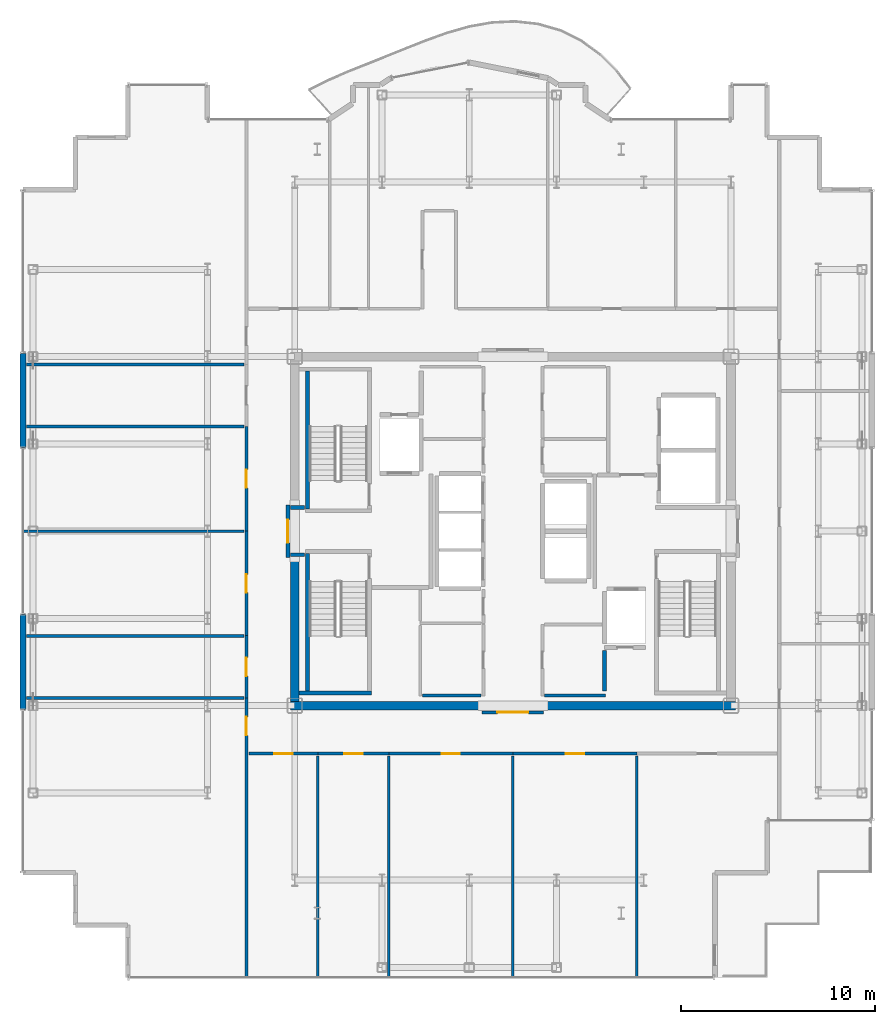
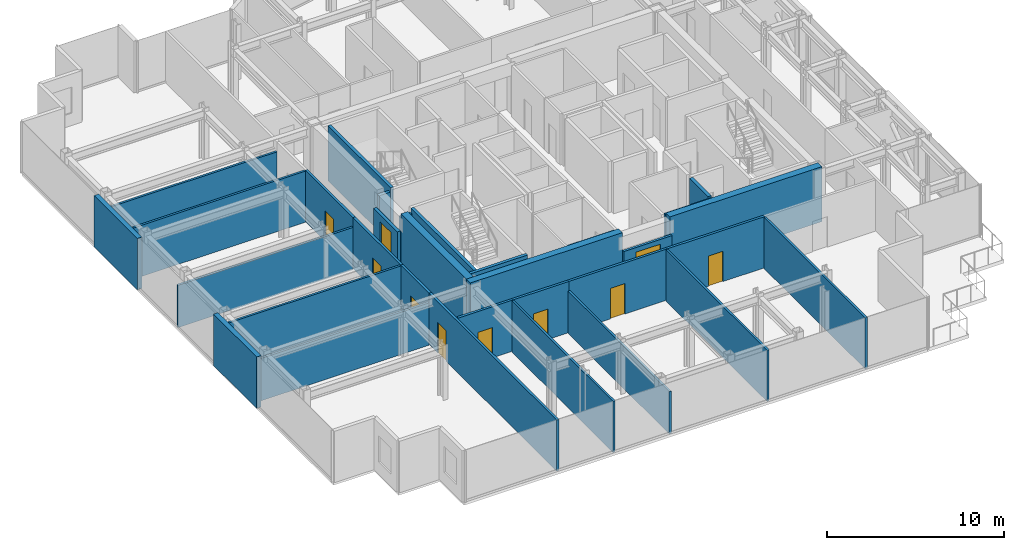
# One storey, part 11 of 18: 32 walls, 10 doors, 10 openings.
"""IFC4 building model written with IfcOpenShell, lengths in metres."""

from ifc_helpers import new_model, si_unit, direction, frame, frame_2d, origin, place, context, subcontext, project, spatial, rectangle, extrude, source, transform, mapped, material, layer, layer_set, type_object, element, fill, save


model = new_model("IFC4")

# Units and contexts
model_context = context("Model", 3, precision=1e-05, world=origin(), true_north=direction((0.0, 1.0)))
body_context = subcontext(model_context, "Body", "Model", "MODEL_VIEW")
ifc_project = project(units=[si_unit("LENGTHUNIT", "METRE"), si_unit("AREAUNIT", "SQUARE_METRE"), si_unit("VOLUMEUNIT", "CUBIC_METRE"), si_unit("PLANEANGLEUNIT", "RADIAN"), si_unit("MASSUNIT", "GRAM", prefix="KILO")], contexts=[model_context])

# Site, building, storey
site_placement = place(None, origin())
site = spatial("IfcSite", under=ifc_project, at=site_placement, CompositionType="ELEMENT")
building_placement = place(site_placement, origin())
building = spatial("IfcBuilding", under=site, at=building_placement, Name="Nefas-Gora Pilgrimage Tower", CompositionType="ELEMENT")
storey_placement = place(building_placement, frame((0.0, 0.0, 298.800048828125)))
storey = spatial("IfcBuildingStorey", under=building, at=storey_placement, Name="L75", CompositionType="ELEMENT", Elevation=298.800048828125)

# Walls
ifc_material_1 = material(Name="Concrete C50/60", Category="concrete")
ifc_layer_1 = layer(ifc_material_1, 0.449951171875)
ifc_layer_set_1 = layer_set([ifc_layer_1], Name="Concrete C50/60")
wall_type_1 = type_object("IfcWallType", Name="SW-CORE-450", PredefinedType="SHEAR", material=ifc_layer_set_1)
shared_shape_1 = source(origin(), body_context, "Body", "SweptSolid", [
    extrude(rectangle(XDim=9.925048828125, YDim=0.449951171875, at=frame_2d((4.96240234375, 0.0))), origin(), (0.0, 0.0, 1.0), 3.800048828125),
])
for number, where, z_axis, x_axis, name in (
    (1, (-11.47509765625, -9.0, 0.0), (0.0, 0.0, 1.0), (1.0, 0.0, 0.0), "L75 Core Shear Wall S-West"),
    (2, (1.550048828125, -9.0, 0.0), (0.0, 0.0, 1.0), (1.0, 0.0, 0.0), "L75 Core Shear Wall S-East"),
):
    element("IfcWall", number, at=place(storey_placement, frame(where, z_axis=z_axis, x_axis=x_axis)), inside=storey, type_object=wall_type_1, Name=name, PredefinedType="SHEAR", context=body_context, shape_type="MappedRepresentation", body=[
        mapped(shared_shape_1, transform((0.0, 0.0, 0.0), x_axis=(1.0, 0.0, 0.0), y_axis=(0.0, 1.0, 0.0), z_axis=(0.0, 0.0, 1.0), scale=1.0)),
    ])
shared_shape_2 = source(origin(), body_context, "Body", "SweptSolid", [
    extrude(rectangle(XDim=7.4248046875, YDim=0.449951171875, at=frame_2d((3.71240234375, 0.0))), origin(), (0.0, 0.0, 1.0), 3.800048828125),
])
wall_1_placement = place(storey_placement, frame((-11.25, -8.77490234375, 0.0), z_axis=(0.0, 0.0, 1.0), x_axis=(0.0, 1.0, 0.0)))
element("IfcWall", 3, at=wall_1_placement, inside=storey, type_object=wall_type_1, Name="L75 Core Shear Wall W-South", PredefinedType="SHEAR", context=body_context, shape_type="MappedRepresentation", body=[
    mapped(shared_shape_2, transform((0.0, 0.0, 0.0), x_axis=(1.0, 0.0, 0.0), y_axis=(0.0, 1.0, 0.0), z_axis=(0.0, 0.0, 1.0), scale=1.0)),
])
ifc_material_2 = material(Name="Precast concrete C45/55", Category="concrete")
ifc_layer_2 = layer(ifc_material_2, 0.239990234375)
ifc_layer_set_2 = layer_set([ifc_layer_2], Name="Precast concrete C45/55")
wall_type_2 = type_object("IfcWallType", Name="EW-SERR-240", PredefinedType="SHEAR", material=ifc_layer_set_2)
shared_shape_3 = source(origin(), body_context, "Body", "SweptSolid", [
    extrude(rectangle(XDim=4.8798828125, YDim=0.300048828125, at=frame_2d((2.43994140625, 0.0))), origin(), (0.0, 0.0, 1.0), 3.550048828125),
])
for number, where, z_axis, x_axis, name in (
    (4, (-25.27001953125, -9.18994140625, 0.0), (0.0, 0.0, 1.0), (0.0, 1.0, 0.0), "L75 Braced-Tube Precast Shear Cladding 1"),
    (5, (-25.27001953125, 4.31005859375, 0.0), (0.0, 0.0, 1.0), (0.0, 1.0, 0.0), "L75 Braced-Tube Precast Shear Cladding 2"),
):
    element("IfcWall", number, at=place(storey_placement, frame(where, z_axis=z_axis, x_axis=x_axis)), inside=storey, type_object=wall_type_2, Name=name, PredefinedType="SHEAR", context=body_context, shape_type="MappedRepresentation", body=[
        mapped(shared_shape_3, transform((0.0, 0.0, 0.0), x_axis=(1.0, 0.0, 0.0), y_axis=(0.0, 1.0, 0.0), z_axis=(0.0, 0.0, 1.0), scale=1.0)),
    ])
ifc_material_3 = material(Name="Concrete C45/55", Category="concrete")
ifc_layer_3 = layer(ifc_material_3, 0.199951171875)
ifc_layer_set_3 = layer_set([ifc_layer_3], Name="Concrete C45/55")
wall_type_3 = type_object("IfcWallType", Name="IW-STAIR-200", PredefinedType="SOLIDWALL", material=ifc_layer_set_3)
shared_shape_4 = source(origin(), body_context, "Body", "SweptSolid", [
    extrude(rectangle(XDim=7.10009765625, YDim=0.199951171875, at=frame_2d((3.550048828125, 0.0))), origin(), (0.0, 0.0, 1.0), 3.800048828125),
])
for number, where, z_axis, x_axis, name in (
    (6, (-10.60009765625, 1.14990234375, 0.0), (0.0, 0.0, 1.0), (0.0, 1.0, 0.0), "L75 Stairwell Shear Wall ST-01-right"),
    (7, (-10.60009765625, -1.14990234375, 0.0), (0.0, 0.0, 1.0), (0.0, -1.0, 0.0), "L75 Stairwell Shear Wall ST-03-left"),
):
    element("IfcWall", number, at=place(storey_placement, frame(where, z_axis=z_axis, x_axis=x_axis)), inside=storey, type_object=wall_type_3, Name=name, PredefinedType="SOLIDWALL", context=body_context, shape_type="MappedRepresentation", body=[
        mapped(shared_shape_4, transform((0.0, 0.0, 0.0), x_axis=(1.0, 0.0, 0.0), y_axis=(0.0, 1.0, 0.0), z_axis=(0.0, 0.0, 1.0), scale=1.0)),
    ])
shared_shape_5 = source(origin(), body_context, "Body", "SweptSolid", [
    extrude(rectangle(XDim=3.72998046875, YDim=0.199951171875, at=frame_2d((1.864990234375, 0.0))), origin(), (0.0, 0.0, 1.0), 3.800048828125),
])
wall_2_placement = place(storey_placement, frame((-11.030029296875, -8.35009765625, 0.0), z_axis=(0.0, 0.0, 1.0), x_axis=(1.0, 0.0, 0.0)))
element("IfcWall", 8, at=wall_2_placement, inside=storey, type_object=wall_type_3, Name="L75 Stairwell Shear Wall ST-03-far", PredefinedType="SOLIDWALL", context=body_context, shape_type="MappedRepresentation", body=[
    mapped(shared_shape_5, transform((0.0, 0.0, 0.0), x_axis=(1.0, 0.0, 0.0), y_axis=(0.0, 1.0, 0.0), z_axis=(0.0, 0.0, 1.0), scale=1.0)),
])
ifc_material_4 = material(Name="Gypsum fire-rated shaftwall")
ifc_layer_4 = layer(ifc_material_4, 0.199951171875)
ifc_layer_set_4 = layer_set([ifc_layer_4], Name="Gypsum fire-rated shaftwall")
wall_type_4 = type_object("IfcWallType", Name="IW-FFLOB-200", PredefinedType="PARTITIONING", material=ifc_layer_set_4)
shared_shape_6 = source(origin(), body_context, "Body", "SweptSolid", [
    extrude(rectangle(XDim=0.719970703125, YDim=0.199951171875, at=frame_2d((0.35986328125, 0.0))), origin(), (0.0, 0.0, 1.0), 3.534912109375),
])
for number, where, z_axis, x_axis, name in (
    (9, (-11.4599609375, 1.219970703125, 0.0), (0.0, 0.0, 1.0), (1.0, 0.0, 0.0), "L75 FF Lobby West Throat N Wall 8"),
    (10, (-11.4599609375, -1.219970703125, 0.0), (0.0, 0.0, 1.0), (1.0, 0.0, 0.0), "L75 FF Lobby West Throat S Wall 9"),
):
    element("IfcWall", number, at=place(storey_placement, frame(where, z_axis=z_axis, x_axis=x_axis)), inside=storey, type_object=wall_type_4, Name=name, PredefinedType="PARTITIONING", context=body_context, shape_type="MappedRepresentation", body=[
        mapped(shared_shape_6, transform((0.0, 0.0, 0.0), x_axis=(1.0, 0.0, 0.0), y_axis=(0.0, 1.0, 0.0), z_axis=(0.0, 0.0, 1.0), scale=1.0)),
    ])
ifc_material_5 = material(Name="Gypsum twin-stud partition")
ifc_layer_5 = layer(ifc_material_5, 0.139892578125)
ifc_layer_set_5 = layer_set([ifc_layer_5], Name="Gypsum twin-stud partition")
wall_type_5 = type_object("IfcWallType", Name="IW-UNIT-140", PredefinedType="PARTITIONING", material=ifc_layer_set_5)
shared_shape_7 = source(origin(), body_context, "Body", "SweptSolid", [
    extrude(rectangle(XDim=3.150146484375, YDim=0.139892578125, at=frame_2d((1.5751953125, 0.0))), origin(), (0.0, 0.0, 1.0), 3.534912109375),
])
wall_3_placement = place(storey_placement, frame((1.639892578125, -8.47998046875, 0.0), z_axis=(0.0, 0.0, 1.0), x_axis=(1.0, 0.0, 0.0)))
element("IfcWall", 11, at=wall_3_placement, inside=storey, type_object=wall_type_5, Name="L75 High-Rise Tableware Store Partition Wall 35", PredefinedType="PARTITIONING", context=body_context, shape_type="MappedRepresentation", body=[
    mapped(shared_shape_7, transform((0.0, 0.0, 0.0), x_axis=(1.0, 0.0, 0.0), y_axis=(0.0, 1.0, 0.0), z_axis=(0.0, 0.0, 1.0), scale=1.0)),
])

# Wall, opening, door
ifc_material_6 = material(Name="Gypsum acoustic stud partition")
ifc_layer_6 = layer(ifc_material_6, 0.159912109375)
ifc_layer_set_6 = layer_set([ifc_layer_6], Name="Gypsum acoustic stud partition")
wall_type_6 = type_object("IfcWallType", Name="IW-CORR-160", PredefinedType="PARTITIONING", material=ifc_layer_set_6)
shared_shape_8 = source(origin(), body_context, "Body", "SweptSolid", [
    extrude(rectangle(XDim=3.2099609375, YDim=0.159912109375, at=frame_2d((1.60498046875, 0.0))), origin(), (0.0, 0.0, 1.0), 3.534912109375),
])
wall_4_placement = place(storey_placement, frame((-13.739990234375, -8.60498046875, 0.0), z_axis=(0.0, 0.0, 1.0), x_axis=(0.0, 1.0, 0.0)))
wall_4 = element("IfcWall", 12, at=wall_4_placement, inside=storey, type_object=wall_type_6, Name="L75 Pastoral Chaplains Counselling Office Partition Wall 41", PredefinedType="PARTITIONING", context=body_context, shape_type="MappedRepresentation", body=[
    mapped(shared_shape_8, transform((0.0, 0.0, 0.0), x_axis=(1.0, 0.0, 0.0), y_axis=(0.0, 1.0, 0.0), z_axis=(0.0, 0.0, 1.0), scale=1.0)),
])
opening_1_placement = place(wall_4_placement, frame((1.1298828125, 0.0, 0.0)))
opening_1 = element("IfcOpeningElement", 13, at=opening_1_placement, cuts=wall_4, Name="Opening ID-GR1", PredefinedType="OPENING", context=body_context, shape_type="SweptSolid", body=[
    extrude(rectangle(XDim=0.949951171875, YDim=2.10009765625, at=frame_2d((0.47509765625, 1.050048828125))), frame((0.0, 0.08984375, 0.0), z_axis=(0.0, -1.0, 0.0), x_axis=(1.0, 0.0, 0.0)), (0.0, 0.0, 1.0), 0.179931640625),
])
ifc_material_7 = material(Name="Solid core oak fire-rated guest entrance door")
door_type_1 = type_object("IfcDoorType", Name="DR-INT-GUEST-950", OperationType="NOTDEFINED", PredefinedType="DOOR", material=ifc_material_7)
shared_shape_9 = source(origin(), body_context, "Body", "SweptSolid", [
    extrude(rectangle(XDim=0.949951171875, YDim=2.10009765625, at=frame_2d((0.47509765625, 1.050048828125))), frame((0.0, 0.02490234375, 0.0), z_axis=(0.0, -1.0, 0.0), x_axis=(1.0, 0.0, 0.0)), (0.0, 0.0, 1.0), 0.050048828125),
])
door_1_placement = place(opening_1_placement, origin())
door_1 = element("IfcDoor", 14, at=door_1_placement, inside=storey, type_object=door_type_1, Name="L75 Pastoral Chaplains Counselling Office Door 17", OperationType="SINGLE_SWING_LEFT", OverallHeight=2.10009765625, OverallWidth=0.949951171875, PredefinedType="DOOR", context=body_context, shape_type="MappedRepresentation", body=[
    mapped(shared_shape_9, transform((0.0, 0.0, 0.0), x_axis=(1.0, 0.0, 0.0), y_axis=(0.0, 1.0, 0.0), z_axis=(0.0, 0.0, 1.0), scale=1.0)),
])
fill(opening_1, door_1)

shared_shape_10 = source(origin(), body_context, "Body", "SweptSolid", [
    extrude(rectangle(XDim=6.405029296875, YDim=0.159912109375, at=frame_2d((3.20263671875, 0.0))), origin(), (0.0, 0.0, 1.0), 3.534912109375),
])
wall_5_placement = place(storey_placement, frame((-6.405029296875, -11.469970703125, 0.0), z_axis=(0.0, 0.0, 1.0), x_axis=(1.0, 0.0, 0.0)))
wall_5 = element("IfcWall", 15, at=wall_5_placement, inside=storey, type_object=wall_type_6, Name="L75 Pilgrim Contemplative Lounge Partition Wall 69", PredefinedType="PARTITIONING", context=body_context, shape_type="MappedRepresentation", body=[
    mapped(shared_shape_10, transform((0.0, 0.0, 0.0), x_axis=(1.0, 0.0, 0.0), y_axis=(0.0, 1.0, 0.0), z_axis=(0.0, 0.0, 1.0), scale=1.0)),
])
opening_2_placement = place(wall_5_placement, frame((2.7275390625, 0.0, 0.0)))
opening_2 = element("IfcOpeningElement", 16, at=opening_2_placement, cuts=wall_5, Name="Opening ID-GR1", PredefinedType="OPENING", context=body_context, shape_type="SweptSolid", body=[
    extrude(rectangle(XDim=0.949951171875, YDim=2.10009765625, at=frame_2d((0.47509765625, 1.050048828125))), frame((0.0, 0.08984375, 0.0), z_axis=(0.0, -1.0, 0.0), x_axis=(1.0, 0.0, 0.0)), (0.0, 0.0, 1.0), 0.179931640625),
])
door_2_placement = place(opening_2_placement, origin())
door_2 = element("IfcDoor", 17, at=door_2_placement, inside=storey, type_object=door_type_1, Name="L75 Pilgrim Contemplative Lounge Door 31", OperationType="SINGLE_SWING_LEFT", OverallHeight=2.10009765625, OverallWidth=0.949951171875, PredefinedType="DOOR", context=body_context, shape_type="MappedRepresentation", body=[
    mapped(shared_shape_9, transform((0.0, 0.0, 0.0), x_axis=(1.0, 0.0, 0.0), y_axis=(0.0, 1.0, 0.0), z_axis=(0.0, 0.0, 1.0), scale=1.0)),
])
fill(opening_2, door_2)

wall_6_placement = place(storey_placement, frame((0.0, -11.469970703125, 0.0), z_axis=(0.0, 0.0, 1.0), x_axis=(1.0, 0.0, 0.0)))
wall_6 = element("IfcWall", 18, at=wall_6_placement, inside=storey, type_object=wall_type_6, Name="L75 Pilgrim Contemplative Lounge Partition Wall 71", PredefinedType="PARTITIONING", context=body_context, shape_type="MappedRepresentation", body=[
    mapped(shared_shape_10, transform((0.0, 0.0, 0.0), x_axis=(1.0, 0.0, 0.0), y_axis=(0.0, 1.0, 0.0), z_axis=(0.0, 0.0, 1.0), scale=1.0)),
])
opening_3_placement = place(wall_6_placement, frame((2.7275390625, 0.0, 0.0)))
opening_3 = element("IfcOpeningElement", 19, at=opening_3_placement, cuts=wall_6, Name="Opening ID-GR1", PredefinedType="OPENING", context=body_context, shape_type="SweptSolid", body=[
    extrude(rectangle(XDim=0.949951171875, YDim=2.10009765625, at=frame_2d((0.47509765625, 1.050048828125))), frame((0.0, 0.08984375, 0.0), z_axis=(0.0, -1.0, 0.0), x_axis=(1.0, 0.0, 0.0)), (0.0, 0.0, 1.0), 0.179931640625),
])
door_3_placement = place(opening_3_placement, origin())
door_3 = element("IfcDoor", 20, at=door_3_placement, inside=storey, type_object=door_type_1, Name="L75 Pilgrim Contemplative Lounge Door 32", OperationType="SINGLE_SWING_RIGHT", OverallHeight=2.10009765625, OverallWidth=0.949951171875, PredefinedType="DOOR", context=body_context, shape_type="MappedRepresentation", body=[
    mapped(shared_shape_9, transform((0.0, 0.0, 0.0), x_axis=(1.0, 0.0, 0.0), y_axis=(0.0, 1.0, 0.0), z_axis=(0.0, 0.0, 1.0), scale=1.0)),
])
fill(opening_3, door_3)

shared_shape_11 = source(origin(), body_context, "Body", "SweptSolid", [
    extrude(rectangle(XDim=3.6650390625, YDim=0.159912109375, at=frame_2d((1.83251953125, 0.0))), origin(), (0.0, 0.0, 1.0), 3.534912109375),
])
wall_7_placement = place(storey_placement, frame((-10.06005859375, -11.469970703125, 0.0), z_axis=(0.0, 0.0, 1.0), x_axis=(1.0, 0.0, 0.0)))
wall_7 = element("IfcWall", 21, at=wall_7_placement, inside=storey, type_object=wall_type_6, Name="L75 Pilgrim Contemplative Lounge Partition Wall 67", PredefinedType="PARTITIONING", context=body_context, shape_type="MappedRepresentation", body=[
    mapped(shared_shape_11, transform((0.0, 0.0, 0.0), x_axis=(1.0, 0.0, 0.0), y_axis=(0.0, 1.0, 0.0), z_axis=(0.0, 0.0, 1.0), scale=1.0)),
])
opening_4_placement = place(wall_7_placement, frame((1.357421875, 0.0, 0.0)))
opening_4 = element("IfcOpeningElement", 22, at=opening_4_placement, cuts=wall_7, Name="Opening ID-GR1", PredefinedType="OPENING", context=body_context, shape_type="SweptSolid", body=[
    extrude(rectangle(XDim=0.949951171875, YDim=2.10009765625, at=frame_2d((0.47509765625, 1.050048828125))), frame((0.0, 0.08984375, 0.0), z_axis=(0.0, -1.0, 0.0), x_axis=(1.0, 0.0, 0.0)), (0.0, 0.0, 1.0), 0.179931640625),
])
door_4_placement = place(opening_4_placement, origin())
door_4 = element("IfcDoor", 23, at=door_4_placement, inside=storey, type_object=door_type_1, Name="L75 Pilgrim Contemplative Lounge Door 30", OperationType="SINGLE_SWING_RIGHT", OverallHeight=2.10009765625, OverallWidth=0.949951171875, PredefinedType="DOOR", context=body_context, shape_type="MappedRepresentation", body=[
    mapped(shared_shape_9, transform((0.0, 0.0, 0.0), x_axis=(1.0, 0.0, 0.0), y_axis=(0.0, 1.0, 0.0), z_axis=(0.0, 0.0, 1.0), scale=1.0)),
])
fill(opening_4, door_4)

shared_shape_12 = source(origin(), body_context, "Body", "SweptSolid", [
    extrude(rectangle(XDim=3.56005859375, YDim=0.159912109375, at=frame_2d((1.780029296875, 0.0))), origin(), (0.0, 0.0, 1.0), 3.534912109375),
])
wall_8_placement = place(storey_placement, frame((-13.6201171875, -11.469970703125, 0.0), z_axis=(0.0, 0.0, 1.0), x_axis=(1.0, 0.0, 0.0)))
wall_8 = element("IfcWall", 24, at=wall_8_placement, inside=storey, type_object=wall_type_6, Name="L75 Pilgrim Contemplative Lounge Partition Wall 65", PredefinedType="PARTITIONING", context=body_context, shape_type="MappedRepresentation", body=[
    mapped(shared_shape_12, transform((0.0, 0.0, 0.0), x_axis=(1.0, 0.0, 0.0), y_axis=(0.0, 1.0, 0.0), z_axis=(0.0, 0.0, 1.0), scale=1.0)),
])
opening_5_placement = place(wall_8_placement, frame((1.304931640625, 0.0, 0.0)))
opening_5 = element("IfcOpeningElement", 25, at=opening_5_placement, cuts=wall_8, Name="Opening ID-GR1", PredefinedType="OPENING", context=body_context, shape_type="SweptSolid", body=[
    extrude(rectangle(XDim=0.949951171875, YDim=2.10009765625, at=frame_2d((0.47509765625, 1.050048828125))), frame((0.0, 0.08984375, 0.0), z_axis=(0.0, -1.0, 0.0), x_axis=(1.0, 0.0, 0.0)), (0.0, 0.0, 1.0), 0.179931640625),
])
door_5_placement = place(opening_5_placement, origin())
door_5 = element("IfcDoor", 26, at=door_5_placement, inside=storey, type_object=door_type_1, Name="L75 Pilgrim Contemplative Lounge Door 29", OperationType="SINGLE_SWING_LEFT", OverallHeight=2.10009765625, OverallWidth=0.949951171875, PredefinedType="DOOR", context=body_context, shape_type="MappedRepresentation", body=[
    mapped(shared_shape_9, transform((0.0, 0.0, 0.0), x_axis=(1.0, 0.0, 0.0), y_axis=(0.0, 1.0, 0.0), z_axis=(0.0, 0.0, 1.0), scale=1.0)),
])
fill(opening_5, door_5)

shared_shape_13 = source(origin(), body_context, "Body", "SweptSolid", [
    extrude(rectangle(XDim=14.445068359375, YDim=0.159912109375, at=frame_2d((7.22265625, 0.0))), origin(), (0.0, 0.0, 1.0), 3.534912109375),
])
wall_9_placement = place(storey_placement, frame((-13.739990234375, -23.0400390625, 0.0), z_axis=(0.0, 0.0, 1.0), x_axis=(0.0, 1.0, 0.0)))
wall_9 = element("IfcWall", 27, at=wall_9_placement, inside=storey, type_object=wall_type_6, Name="L75 Pilgrim Floor Concierge Foyer Partition Wall 39", PredefinedType="PARTITIONING", context=body_context, shape_type="MappedRepresentation", body=[
    mapped(shared_shape_13, transform((0.0, 0.0, 0.0), x_axis=(1.0, 0.0, 0.0), y_axis=(0.0, 1.0, 0.0), z_axis=(0.0, 0.0, 1.0), scale=1.0)),
])
opening_6_placement = place(wall_9_placement, frame((12.512451171875, 0.0, 0.0)))
opening_6 = element("IfcOpeningElement", 28, at=opening_6_placement, cuts=wall_9, Name="Opening ID-GR1", PredefinedType="OPENING", context=body_context, shape_type="SweptSolid", body=[
    extrude(rectangle(XDim=0.949951171875, YDim=2.10009765625, at=frame_2d((0.47509765625, 1.050048828125))), frame((0.0, 0.08984375, 0.0), z_axis=(0.0, -1.0, 0.0), x_axis=(1.0, 0.0, 0.0)), (0.0, 0.0, 1.0), 0.179931640625),
])
door_6_placement = place(opening_6_placement, origin())
door_6 = element("IfcDoor", 29, at=door_6_placement, inside=storey, type_object=door_type_1, Name="L75 Pilgrim Floor Concierge Foyer Door 16", OperationType="SINGLE_SWING_RIGHT", OverallHeight=2.10009765625, OverallWidth=0.949951171875, PredefinedType="DOOR", context=body_context, shape_type="MappedRepresentation", body=[
    mapped(shared_shape_9, transform((0.0, 0.0, 0.0), x_axis=(1.0, 0.0, 0.0), y_axis=(0.0, 1.0, 0.0), z_axis=(0.0, 0.0, 1.0), scale=1.0)),
])
fill(opening_6, door_6)

# Walls
shared_shape_14 = source(origin(), body_context, "Body", "SweptSolid", [
    extrude(rectangle(XDim=11.219970703125, YDim=0.139892578125, at=frame_2d((5.60986328125, 0.0))), origin(), (0.0, 0.0, 1.0), 3.534912109375),
])
for number, where, z_axis, x_axis, name in (
    (30, (-25.080078125, -5.405029296875, 0.0), (0.0, 0.0, 1.0), (1.0, 0.0, 0.0), "L75 Pastoral Chaplains Counselling Office Partition Wall 42"),
    (31, (-25.080078125, 5.39501953125, 0.0), (0.0, 0.0, 1.0), (1.0, 0.0, 0.0), "L75 Pilgrim Floor Concierge Foyer Partition Wall 46"),
):
    element("IfcWall", number, at=place(storey_placement, frame(where, z_axis=z_axis, x_axis=x_axis)), inside=storey, type_object=wall_type_5, Name=name, PredefinedType="PARTITIONING", context=body_context, shape_type="MappedRepresentation", body=[
        mapped(shared_shape_14, transform((0.0, 0.0, 0.0), x_axis=(1.0, 0.0, 0.0), y_axis=(0.0, 1.0, 0.0), z_axis=(0.0, 0.0, 1.0), scale=1.0)),
    ])

# Wall, opening, door
shared_shape_15 = source(origin(), body_context, "Body", "SweptSolid", [
    extrude(rectangle(XDim=5.409912109375, YDim=0.159912109375, at=frame_2d((2.705078125, 0.0))), origin(), (0.0, 0.0, 1.0), 3.534912109375),
])
wall_10_placement = place(storey_placement, frame((-13.739990234375, -5.405029296875, 0.0), z_axis=(0.0, 0.0, 1.0), x_axis=(0.0, 1.0, 0.0)))
wall_10 = element("IfcWall", 32, at=wall_10_placement, inside=storey, type_object=wall_type_6, Name="L75 Pilgrim Floor Concierge Foyer Partition Wall 43", PredefinedType="PARTITIONING", context=body_context, shape_type="MappedRepresentation", body=[
    mapped(shared_shape_15, transform((0.0, 0.0, 0.0), x_axis=(1.0, 0.0, 0.0), y_axis=(0.0, 1.0, 0.0), z_axis=(0.0, 0.0, 1.0), scale=1.0)),
])
opening_7_placement = place(wall_10_placement, frame((2.22998046875, 0.0, 0.0)))
opening_7 = element("IfcOpeningElement", 33, at=opening_7_placement, cuts=wall_10, Name="Opening ID-GR1", PredefinedType="OPENING", context=body_context, shape_type="SweptSolid", body=[
    extrude(rectangle(XDim=0.949951171875, YDim=2.10009765625, at=frame_2d((0.47509765625, 1.050048828125))), frame((0.0, 0.08984375, 0.0), z_axis=(0.0, -1.0, 0.0), x_axis=(1.0, 0.0, 0.0)), (0.0, 0.0, 1.0), 0.179931640625),
])
door_7_placement = place(opening_7_placement, origin())
door_7 = element("IfcDoor", 34, at=door_7_placement, inside=storey, type_object=door_type_1, Name="L75 Pilgrim Floor Concierge Foyer Door 18", OperationType="SINGLE_SWING_RIGHT", OverallHeight=2.10009765625, OverallWidth=0.949951171875, PredefinedType="DOOR", context=body_context, shape_type="MappedRepresentation", body=[
    mapped(shared_shape_9, transform((0.0, 0.0, 0.0), x_axis=(1.0, 0.0, 0.0), y_axis=(0.0, 1.0, 0.0), z_axis=(0.0, 0.0, 1.0), scale=1.0)),
])
fill(opening_7, door_7)

wall_11_placement = place(storey_placement, frame((-13.739990234375, -0.0048828125, 0.0), z_axis=(0.0, 0.0, 1.0), x_axis=(0.0, 1.0, 0.0)))
wall_11 = element("IfcWall", 35, at=wall_11_placement, inside=storey, type_object=wall_type_6, Name="L75 Pilgrim Floor Concierge Foyer Partition Wall 45", PredefinedType="PARTITIONING", context=body_context, shape_type="MappedRepresentation", body=[
    mapped(shared_shape_15, transform((0.0, 0.0, 0.0), x_axis=(1.0, 0.0, 0.0), y_axis=(0.0, 1.0, 0.0), z_axis=(0.0, 0.0, 1.0), scale=1.0)),
])
opening_8_placement = place(wall_11_placement, frame((2.22998046875, 0.0, 0.0)))
opening_8 = element("IfcOpeningElement", 36, at=opening_8_placement, cuts=wall_11, Name="Opening ID-GR1", PredefinedType="OPENING", context=body_context, shape_type="SweptSolid", body=[
    extrude(rectangle(XDim=0.949951171875, YDim=2.10009765625, at=frame_2d((0.47509765625, 1.050048828125))), frame((0.0, 0.08984375, 0.0), z_axis=(0.0, -1.0, 0.0), x_axis=(1.0, 0.0, 0.0)), (0.0, 0.0, 1.0), 0.179931640625),
])
door_8_placement = place(opening_8_placement, origin())
door_8 = element("IfcDoor", 37, at=door_8_placement, inside=storey, type_object=door_type_1, Name="L75 Pilgrim Floor Concierge Foyer Door 19", OperationType="SINGLE_SWING_LEFT", OverallHeight=2.10009765625, OverallWidth=0.949951171875, PredefinedType="DOOR", context=body_context, shape_type="MappedRepresentation", body=[
    mapped(shared_shape_9, transform((0.0, 0.0, 0.0), x_axis=(1.0, 0.0, 0.0), y_axis=(0.0, 1.0, 0.0), z_axis=(0.0, 0.0, 1.0), scale=1.0)),
])
fill(opening_8, door_8)

shared_shape_16 = source(origin(), body_context, "Body", "SweptSolid", [
    extrude(rectangle(XDim=2.7001953125, YDim=0.199951171875, at=frame_2d((1.35009765625, 0.0))), origin(), (0.0, 0.0, 1.0), 2.625),
])
wall_12_placement = place(storey_placement, frame((-11.60009765625, -1.35009765625, 0.0), z_axis=(0.0, 0.0, 1.0), x_axis=(0.0, 1.0, 0.0)))
wall_12 = element("IfcWall", 38, at=wall_12_placement, inside=storey, type_object=wall_type_4, Name="L75 FF Lobby West Portal Wall 5", PredefinedType="PARTITIONING", context=body_context, shape_type="MappedRepresentation", body=[
    mapped(shared_shape_16, transform((0.0, 0.0, 0.0), x_axis=(1.0, 0.0, 0.0), y_axis=(0.0, 1.0, 0.0), z_axis=(0.0, 0.0, 1.0), scale=1.0)),
])
opening_9_placement = place(wall_12_placement, frame((0.75, 0.0, 0.0)))
opening_9 = element("IfcOpeningElement", 39, at=opening_9_placement, cuts=wall_12, Name="Opening ID-FF1", PredefinedType="OPENING", context=body_context, shape_type="SweptSolid", body=[
    extrude(rectangle(XDim=1.199951171875, YDim=2.14990234375, at=frame_2d((0.60009765625, 1.074951171875))), frame((0.0, 0.10986328125, 0.0), z_axis=(0.0, -1.0, 0.0), x_axis=(1.0, 0.0, 0.0)), (0.0, 0.0, 1.0), 0.219970703125),
])
ifc_material_8 = material(Name="Smoke-sealed steel firefighting lobby door", Category="steel")
door_type_2 = type_object("IfcDoorType", Name="DR-INT-FFLOB-1200", OperationType="NOTDEFINED", PredefinedType="DOOR", material=ifc_material_8)
shared_shape_17 = source(origin(), body_context, "Body", "SweptSolid", [
    extrude(rectangle(XDim=1.199951171875, YDim=2.14990234375, at=frame_2d((0.60009765625, 1.074951171875))), frame((0.0, 0.02490234375, 0.0), z_axis=(0.0, -1.0, 0.0), x_axis=(1.0, 0.0, 0.0)), (0.0, 0.0, 1.0), 0.050048828125),
])
door_9_placement = place(opening_9_placement, origin())
door_9 = element("IfcDoor", 40, at=door_9_placement, inside=storey, type_object=door_type_2, Name="L75 FF Lobby West Portal Door 3", OperationType="SINGLE_SWING_LEFT", OverallHeight=2.14990234375, OverallWidth=1.199951171875, PredefinedType="DOOR", context=body_context, shape_type="MappedRepresentation", body=[
    mapped(shared_shape_17, transform((0.0, 0.0, 0.0), x_axis=(1.0, 0.0, 0.0), y_axis=(0.0, 1.0, 0.0), z_axis=(0.0, 0.0, 1.0), scale=1.0)),
])
fill(opening_9, door_9)

shared_shape_18 = source(origin(), body_context, "Body", "SweptSolid", [
    extrude(rectangle(XDim=3.16015625, YDim=0.159912109375, at=frame_2d((1.580078125, 0.0))), origin(), (0.0, 0.0, 1.0), 2.625),
])
wall_13_placement = place(storey_placement, frame((-1.580078125, -9.35009765625, 0.0), z_axis=(0.0, 0.0, 1.0), x_axis=(1.0, 0.0, 0.0)))
wall_13 = element("IfcWall", 41, at=wall_13_placement, inside=storey, type_object=wall_type_6, Name="L75 Central Lift Lobby South Portal Wall 17", PredefinedType="PARTITIONING", context=body_context, shape_type="MappedRepresentation", body=[
    mapped(shared_shape_18, transform((0.0, 0.0, 0.0), x_axis=(1.0, 0.0, 0.0), y_axis=(0.0, 1.0, 0.0), z_axis=(0.0, 0.0, 1.0), scale=1.0)),
])
opening_10_placement = place(wall_13_placement, frame((0.780029296875, 0.0, 0.0)))
opening_10 = element("IfcOpeningElement", 42, at=opening_10_placement, cuts=wall_13, Name="Opening ID-HL1", PredefinedType="OPENING", context=body_context, shape_type="SweptSolid", body=[
    extrude(rectangle(XDim=1.60009765625, YDim=2.300048828125, at=frame_2d((0.800048828125, 1.14990234375))), frame((0.0, 0.08984375, 0.0), z_axis=(0.0, -1.0, 0.0), x_axis=(1.0, 0.0, 0.0)), (0.0, 0.0, 1.0), 0.179931640625),
])
ifc_material_9 = material(Name="Double acoustic timber assembly hall door", Category="wood")
door_type_3 = type_object("IfcDoorType", Name="DR-INT-HALL-1600", OperationType="DOUBLE_DOOR_SINGLE_SWING", PredefinedType="DOOR", material=ifc_material_9)
shared_shape_19 = source(origin(), body_context, "Body", "SweptSolid", [
    extrude(rectangle(XDim=1.60009765625, YDim=2.300048828125, at=frame_2d((0.800048828125, 1.14990234375))), frame((0.0, 0.02490234375, 0.0), z_axis=(0.0, -1.0, 0.0), x_axis=(1.0, 0.0, 0.0)), (0.0, 0.0, 1.0), 0.050048828125),
])
door_10_placement = place(opening_10_placement, origin())
door_10 = element("IfcDoor", 43, at=door_10_placement, inside=storey, type_object=door_type_3, Name="L75 Central Lift Lobby South Portal Door 7", OperationType="DOUBLE_DOOR_SINGLE_SWING", OverallHeight=2.300048828125, OverallWidth=1.60009765625, PredefinedType="DOOR", context=body_context, shape_type="MappedRepresentation", body=[
    mapped(shared_shape_19, transform((0.0, 0.0, 0.0), x_axis=(1.0, 0.0, 0.0), y_axis=(0.0, 1.0, 0.0), z_axis=(0.0, 0.0, 1.0), scale=1.0)),
])
fill(opening_10, door_10)

# Walls
shared_shape_20 = source(origin(), body_context, "Body", "SweptSolid", [
    extrude(rectangle(XDim=11.429931640625, YDim=0.139892578125, at=frame_2d((5.71484375, 0.0))), origin(), (0.0, 0.0, 1.0), 2.925048828125),
])
wall_14_placement = place(storey_placement, frame((-25.2900390625, -0.0048828125, 0.0), z_axis=(0.0, 0.0, 1.0), x_axis=(1.0, 0.0, 0.0)))
element("IfcWall", 44, at=wall_14_placement, inside=storey, type_object=wall_type_5, Name="L75 Pilgrim Floor Concierge Foyer Partition Wall 44", PredefinedType="PARTITIONING", context=body_context, shape_type="MappedRepresentation", body=[
    mapped(shared_shape_20, transform((0.0, 0.0, 0.0), x_axis=(1.0, 0.0, 0.0), y_axis=(0.0, 1.0, 0.0), z_axis=(0.0, 0.0, 1.0), scale=1.0)),
])
shared_shape_21 = source(origin(), body_context, "Body", "SweptSolid", [
    extrude(rectangle(XDim=11.219970703125, YDim=0.139892578125, at=frame_2d((5.60986328125, 0.0))), origin(), (0.0, 0.0, 1.0), 2.925048828125),
])
for number, where, z_axis, x_axis, name in (
    (45, (-25.080078125, -8.60498046875, 0.0), (0.0, 0.0, 1.0), (1.0, 0.0, 0.0), "L75 Pilgrim Floor Concierge Foyer Partition Wall 40"),
    (46, (-25.080078125, 8.594970703125, 0.0), (0.0, 0.0, 1.0), (1.0, 0.0, 0.0), "L75 Scripture Reading Study Partition Wall 48"),
):
    element("IfcWall", number, at=place(storey_placement, frame(where, z_axis=z_axis, x_axis=x_axis)), inside=storey, type_object=wall_type_5, Name=name, PredefinedType="PARTITIONING", context=body_context, shape_type="MappedRepresentation", body=[
        mapped(shared_shape_21, transform((0.0, 0.0, 0.0), x_axis=(1.0, 0.0, 0.0), y_axis=(0.0, 1.0, 0.0), z_axis=(0.0, 0.0, 1.0), scale=1.0)),
    ])
shared_shape_22 = source(origin(), body_context, "Body", "SweptSolid", [
    extrude(rectangle(XDim=11.449951171875, YDim=0.139892578125, at=frame_2d((5.72509765625, 0.0))), origin(), (0.0, 0.0, 1.0), 3.534912109375),
])
for number, where, z_axis, x_axis, name in (
    (47, (-10.070068359375, -23.0400390625, 0.0), (0.0, 0.0, 1.0), (0.0, 1.0, 0.0), "L75 Pilgrim Contemplative Lounge Partition Wall 66"),
    (48, (-0.010009765625, -23.0400390625, 0.0), (0.0, 0.0, 1.0), (0.0, 1.0, 0.0), "L75 Pilgrim Contemplative Lounge Partition Wall 70"),
    (49, (6.39501953125, -23.0400390625, 0.0), (0.0, 0.0, 1.0), (0.0, 1.0, 0.0), "L75 Pilgrim Contemplative Lounge Partition Wall 72"),
):
    element("IfcWall", number, at=place(storey_placement, frame(where, z_axis=z_axis, x_axis=x_axis)), inside=storey, type_object=wall_type_5, Name=name, PredefinedType="PARTITIONING", context=body_context, shape_type="MappedRepresentation", body=[
        mapped(shared_shape_22, transform((0.0, 0.0, 0.0), x_axis=(1.0, 0.0, 0.0), y_axis=(0.0, 1.0, 0.0), z_axis=(0.0, 0.0, 1.0), scale=1.0)),
    ])
shared_shape_23 = source(origin(), body_context, "Body", "SweptSolid", [
    extrude(rectangle(XDim=11.449951171875, YDim=0.139892578125, at=frame_2d((5.72509765625, 0.0))), origin(), (0.0, 0.0, 1.0), 2.925048828125),
])
wall_15_placement = place(storey_placement, frame((-6.405029296875, -23.0400390625, 0.0), z_axis=(0.0, 0.0, 1.0), x_axis=(0.0, 1.0, 0.0)))
element("IfcWall", 50, at=wall_15_placement, inside=storey, type_object=wall_type_5, Name="L75 Pilgrim Contemplative Lounge Partition Wall 68", PredefinedType="PARTITIONING", context=body_context, shape_type="MappedRepresentation", body=[
    mapped(shared_shape_23, transform((0.0, 0.0, 0.0), x_axis=(1.0, 0.0, 0.0), y_axis=(0.0, 1.0, 0.0), z_axis=(0.0, 0.0, 1.0), scale=1.0)),
])
ifc_material_10 = material(Name="Concrete C40/50", Category="concrete")
ifc_layer_7 = layer(ifc_material_10, 0.219970703125)
ifc_layer_set_7 = layer_set([ifc_layer_7], Name="Concrete C40/50")
wall_type_7 = type_object("IfcWallType", Name="IW-SHAFT-220", PredefinedType="SOLIDWALL", material=ifc_layer_set_7)
shared_shape_24 = source(origin(), body_context, "Body", "SweptSolid", [
    extrude(rectangle(XDim=2.10009765625, YDim=0.219970703125, at=frame_2d((1.050048828125, 0.0))), origin(), (0.0, 0.0, 1.0), 3.534912109375),
])
wall_16_placement = place(storey_placement, frame((4.719970703125, -8.25, 0.0), z_axis=(0.0, 0.0, 1.0), x_axis=(0.0, 1.0, 0.0)))
element("IfcWall", 51, at=wall_16_placement, inside=storey, type_object=wall_type_7, Name="L75 Riser Shaft Wall 4", PredefinedType="SOLIDWALL", context=body_context, shape_type="MappedRepresentation", body=[
    mapped(shared_shape_24, transform((0.0, 0.0, 0.0), x_axis=(1.0, 0.0, 0.0), y_axis=(0.0, 1.0, 0.0), z_axis=(0.0, 0.0, 1.0), scale=1.0)),
])
shared_shape_25 = source(origin(), body_context, "Body", "SweptSolid", [
    extrude(rectangle(XDim=3.030029296875, YDim=0.139892578125, at=frame_2d((1.51513671875, 0.0))), origin(), (0.0, 0.0, 1.0), 3.534912109375),
])
wall_17_placement = place(storey_placement, frame((-4.669921875, -8.47998046875, 0.0), z_axis=(0.0, 0.0, 1.0), x_axis=(1.0, 0.0, 0.0)))
element("IfcWall", 52, at=wall_17_placement, inside=storey, type_object=wall_type_5, Name="L75 High-Rise Linen Store Partition Wall 32", PredefinedType="PARTITIONING", context=body_context, shape_type="MappedRepresentation", body=[
    mapped(shared_shape_25, transform((0.0, 0.0, 0.0), x_axis=(1.0, 0.0, 0.0), y_axis=(0.0, 1.0, 0.0), z_axis=(0.0, 0.0, 1.0), scale=1.0)),
])

save(model, "model.ifc")
